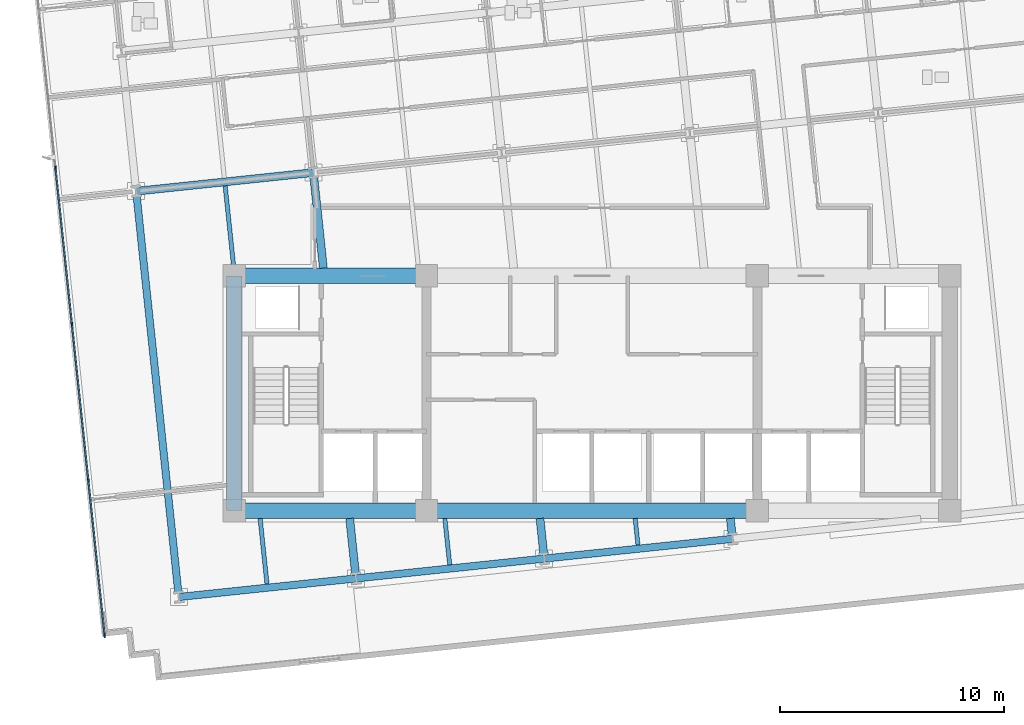
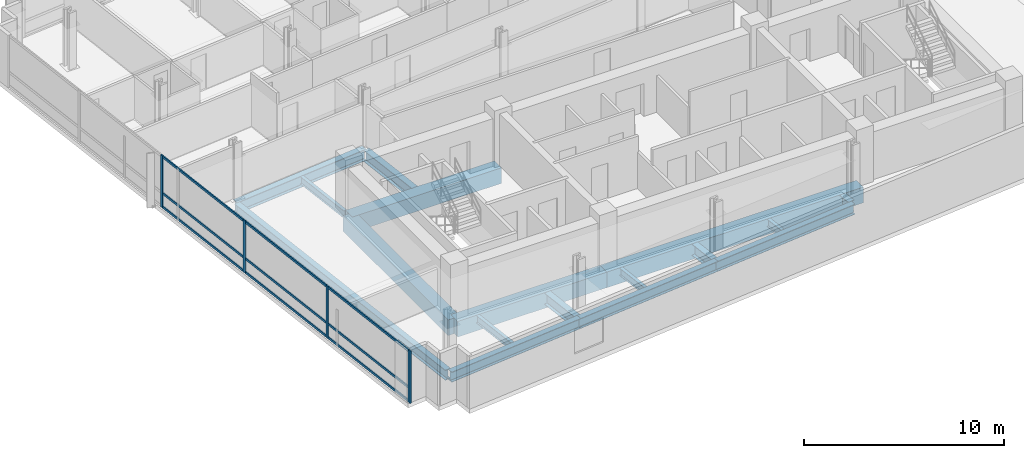
# One storey, part 2 of 18: 17 beams, 13 members, 1 element without a shape of its own.
"""IFC4 building model written with IfcOpenShell, lengths in metres."""

from ifc_helpers import new_model, si_unit, direction, frame, origin, origin_2d, place, context, subcontext, project, spatial, rectangle, i_section, extrude, material, material_profile, profile_set, type_object, element, aggregate, save


model = new_model("IFC4")

# Units and contexts
model_context = context("Model", 3, precision=1e-05, world=origin(), true_north=direction((0.0, 1.0)))
body_context = subcontext(model_context, "Body", "Model", "MODEL_VIEW")
ifc_project = project(units=[si_unit("LENGTHUNIT", "METRE"), si_unit("AREAUNIT", "SQUARE_METRE"), si_unit("VOLUMEUNIT", "CUBIC_METRE"), si_unit("PLANEANGLEUNIT", "RADIAN"), si_unit("MASSUNIT", "GRAM", prefix="KILO")], contexts=[model_context])

# Site, building, storey
site_placement = place(None, origin())
site = spatial("IfcSite", under=ifc_project, at=site_placement, CompositionType="ELEMENT")
building_placement = place(site_placement, origin())
building = spatial("IfcBuilding", under=site, at=building_placement, Name="Solmavex Isthmus Hotel", CompositionType="ELEMENT")
storey_placement = place(building_placement, frame((0.0, 0.0, 120.14990234375)))
storey = spatial("IfcBuildingStorey", under=building, at=storey_placement, Name="L32", CompositionType="ELEMENT", Elevation=120.14990234375)

# Beams
ifc_material_1 = material(Name="Steel ASTM A992 Grade 50", Category="steel")
ifc_material_profile_1 = material_profile(ifc_material_1, i_section(OverallWidth=0.354736328125, OverallDepth=0.695556640625, WebThickness=0.015380859375, FlangeThickness=0.02490234375, FilletRadius=0.017822265625, at=origin_2d()), Name="W27X146")
ifc_profile_set_1 = profile_set([ifc_material_profile_1], Name="Steel ASTM A992 Grade 50")
beam_type_1 = type_object("IfcBeamType", Name="BM-BG-W27X146", PredefinedType="BEAM", material=ifc_profile_set_1)
beam_1_placement = place(storey_placement, frame((-20.383056640625, 1.28564453125, -0.607666015625), z_axis=(0.994520217478, 0.10454442609, 0.0), x_axis=(-0.10454442609, 0.994520217478, 0.0)))
element("IfcBeam", 1, at=beam_1_placement, inside=storey, type_object=beam_type_1, Name="Floor Girder L32-UG07", PredefinedType="BEAM", context=body_context, shape_type="SweptSolid", body=[
    extrude(i_section(OverallWidth=0.354736328125, OverallDepth=0.695556640625, WebThickness=0.015380859375, FlangeThickness=0.02490234375, FilletRadius=0.017822265625, at=origin_2d()), origin(), (0.0, 0.0, 1.0), 7.968017578125),
])
beam_2_placement = place(storey_placement, frame((-10.568115234375, -15.868896484375, -0.607666015625), z_axis=(-0.104589444628, 0.994515484079, 0.0), x_axis=(-0.994515484079, -0.104589444628, 0.0)))
element("IfcBeam", 2, at=beam_2_placement, inside=storey, type_object=beam_type_1, Name="Floor Beam L32-VG28", PredefinedType="BEAM", context=body_context, shape_type="SweptSolid", body=[
    extrude(i_section(OverallWidth=0.354736328125, OverallDepth=0.695556640625, WebThickness=0.015380859375, FlangeThickness=0.02490234375, FilletRadius=0.017822265625, at=origin_2d()), origin(), (0.0, 0.0, 1.0), 2.53271484375),
])
beam_3_placement = place(storey_placement, frame((-12.010009765625, -2.14990234375, -0.607666015625), z_axis=(-0.104548881212, 0.994519749144, 0.0), x_axis=(-0.994519749144, -0.104548881212, 0.0)))
element("IfcBeam", 3, at=beam_3_placement, inside=storey, type_object=beam_type_1, Name="Floor Beam L32-VG29", PredefinedType="BEAM", context=body_context, shape_type="SweptSolid", body=[
    extrude(i_section(OverallWidth=0.354736328125, OverallDepth=0.695556640625, WebThickness=0.015380859375, FlangeThickness=0.02490234375, FilletRadius=0.017822265625, at=origin_2d()), origin(), (0.0, 0.0, 1.0), 4.114501953125),
])
beam_4_placement = place(storey_placement, frame((-2.148681640625, -14.984130859375, -0.607666015625), z_axis=(-0.104460468373, 0.99452903957, 0.0), x_axis=(-0.99452903957, -0.104460468373, 0.0)))
element("IfcBeam", 4, at=beam_4_placement, inside=storey, type_object=beam_type_1, Name="Floor Beam L32-VG32", PredefinedType="BEAM", context=body_context, shape_type="SweptSolid", body=[
    extrude(i_section(OverallWidth=0.354736328125, OverallDepth=0.695556640625, WebThickness=0.015380859375, FlangeThickness=0.02490234375, FilletRadius=0.017822265625, at=origin_2d()), origin(), (0.0, 0.0, 1.0), 1.64306640625),
])
beam_5_placement = place(storey_placement, frame((6.27099609375, -14.09912109375, -0.607666015625), z_axis=(-0.104381041728, 0.99453737895, 0.0), x_axis=(-0.99453737895, -0.104381041728, 0.0)))
element("IfcBeam", 5, at=beam_5_placement, inside=storey, type_object=beam_type_1, Name="Floor Beam L32-VG36", PredefinedType="BEAM", context=body_context, shape_type="SweptSolid", body=[
    extrude(i_section(OverallWidth=0.354736328125, OverallDepth=0.695556640625, WebThickness=0.015380859375, FlangeThickness=0.02490234375, FilletRadius=0.017822265625, at=origin_2d()), origin(), (0.0, 0.0, 1.0), 0.753173828125),
])
ifc_material_profile_2 = material_profile(ifc_material_1, i_section(OverallWidth=0.1904296875, OverallDepth=0.456787109375, WebThickness=0.009033203125, FlangeThickness=0.014404296875, FilletRadius=0.0126953125, at=origin_2d()), Name="W18X50")
ifc_profile_set_2 = profile_set([ifc_material_profile_2], Name="Steel ASTM A992 Grade 50")
beam_type_2 = type_object("IfcBeamType", Name="BM-BJ-W18X50", PredefinedType="JOIST", material=ifc_profile_set_2)
beam_6_placement = place(storey_placement, frame((-14.5302734375, -16.285400390625, -0.48828125), z_axis=(-0.104555607512, 0.994519042019, 0.0), x_axis=(-0.994519042019, -0.104555607512, 0.0)))
element("IfcBeam", 6, at=beam_6_placement, inside=storey, type_object=beam_type_2, Name="Secondary Floor Joist L32-J01", PredefinedType="JOIST", context=body_context, shape_type="SweptSolid", body=[
    extrude(i_section(OverallWidth=0.1904296875, OverallDepth=0.456787109375, WebThickness=0.009033203125, FlangeThickness=0.014404296875, FilletRadius=0.0126953125, at=origin_2d()), origin(), (0.0, 0.0, 1.0), 2.951416015625),
])
beam_7_placement = place(storey_placement, frame((-16.01611328125, -2.14990234375, -0.48828125), z_axis=(-0.104505969986, 0.99452425925, 0.0), x_axis=(-0.99452425925, -0.104505969986, 0.0)))
element("IfcBeam", 7, at=beam_7_placement, inside=storey, type_object=beam_type_2, Name="Secondary Floor Joist L32-J02", PredefinedType="JOIST", context=body_context, shape_type="SweptSolid", body=[
    extrude(i_section(OverallWidth=0.1904296875, OverallDepth=0.456787109375, WebThickness=0.009033203125, FlangeThickness=0.014404296875, FilletRadius=0.0126953125, at=origin_2d()), origin(), (0.0, 0.0, 1.0), 3.69580078125),
])
beam_8_placement = place(storey_placement, frame((-6.3583984375, -15.426513671875, -0.48828125), z_axis=(-0.104538696399, 0.99452081977, 0.0), x_axis=(-0.99452081977, -0.104538696399, 0.0)))
element("IfcBeam", 8, at=beam_8_placement, inside=storey, type_object=beam_type_2, Name="Secondary Floor Joist L32-J05", PredefinedType="JOIST", context=body_context, shape_type="SweptSolid", body=[
    extrude(i_section(OverallWidth=0.1904296875, OverallDepth=0.456787109375, WebThickness=0.009033203125, FlangeThickness=0.014404296875, FilletRadius=0.0126953125, at=origin_2d()), origin(), (0.0, 0.0, 1.0), 2.087890625),
])
beam_9_placement = place(storey_placement, frame((2.061279296875, -14.54150390625, -0.48828125), z_axis=(-0.104546872872, 0.994519960269, 0.0), x_axis=(-0.994519960269, -0.104546872872, 0.0)))
element("IfcBeam", 9, at=beam_9_placement, inside=storey, type_object=beam_type_2, Name="Secondary Floor Joist L32-J09", PredefinedType="JOIST", context=body_context, shape_type="SweptSolid", body=[
    extrude(i_section(OverallWidth=0.1904296875, OverallDepth=0.456787109375, WebThickness=0.009033203125, FlangeThickness=0.014404296875, FilletRadius=0.0126953125, at=origin_2d()), origin(), (0.0, 0.0, 1.0), 1.197998046875),
])
ifc_material_2 = material(Name="Concrete C60/75", Category="concrete")
ifc_material_profile_3 = material_profile(ifc_material_2, rectangle(XDim=0.699951171875, YDim=0.949951171875, at=origin_2d()), Name="RC700X950")
ifc_profile_set_3 = profile_set([ifc_material_profile_3], Name="Concrete C60/75")
beam_type_3 = type_object("IfcBeamType", Name="BM-CB-700X950", PredefinedType="BEAM", material=ifc_profile_set_3)
beam_10_placement = place(storey_placement, frame((-16.0, -13.0, -0.73486328125), z_axis=(1.0, 0.0, 0.0), x_axis=(0.0, 1.0, 0.0)))
element("IfcBeam", 10, at=beam_10_placement, inside=storey, type_object=beam_type_3, Name="Core Coupling Beam L32-CB1", PredefinedType="BEAM", context=body_context, shape_type="SweptSolid", body=[
    extrude(rectangle(XDim=0.699951171875, YDim=0.949951171875, at=origin_2d()), origin(), (0.0, 0.0, 1.0), 8.60009765625),
])
beam_11_placement = place(storey_placement, frame((-7.39990234375, -13.0, -0.73486328125), z_axis=(1.0, 0.0, 0.0), x_axis=(0.0, 1.0, 0.0)))
element("IfcBeam", 11, at=beam_11_placement, inside=storey, type_object=beam_type_3, Name="Core Coupling Beam L32-CB2", PredefinedType="BEAM", context=body_context, shape_type="SweptSolid", body=[
    extrude(rectangle(XDim=0.699951171875, YDim=0.949951171875, at=origin_2d()), origin(), (0.0, 0.0, 1.0), 14.7998046875),
])
beam_12_placement = place(storey_placement, frame((-16.0, -2.5, -0.73486328125), z_axis=(1.0, 0.0, 0.0), x_axis=(0.0, 1.0, 0.0)))
element("IfcBeam", 12, at=beam_12_placement, inside=storey, type_object=beam_type_3, Name="Core Coupling Beam L32-CB4", PredefinedType="BEAM", context=body_context, shape_type="SweptSolid", body=[
    extrude(rectangle(XDim=0.699951171875, YDim=0.949951171875, at=origin_2d()), origin(), (0.0, 0.0, 1.0), 8.60009765625),
])
beam_13_placement = place(storey_placement, frame((-16.0, -13.0, -0.73486328125), z_axis=(0.0, 1.0, 0.0), x_axis=(-1.0, 0.0, 0.0)))
element("IfcBeam", 13, at=beam_13_placement, inside=storey, type_object=beam_type_3, Name="Core Coupling Beam L32-CB7", PredefinedType="BEAM", context=body_context, shape_type="SweptSolid", body=[
    extrude(rectangle(XDim=0.699951171875, YDim=0.949951171875, at=origin_2d()), origin(), (0.0, 0.0, 1.0), 10.5),
])
ifc_material_profile_4 = material_profile(ifc_material_1, i_section(OverallWidth=0.326416015625, OverallDepth=0.621826171875, WebThickness=0.015380859375, FlangeThickness=0.0244140625, FilletRadius=0.01513671875, at=origin_2d()), Name="W24X131")
ifc_profile_set_4 = profile_set([ifc_material_profile_4], Name="Steel ASTM A992 Grade 50")
beam_type_4 = type_object("IfcBeamType", Name="BM-SP-W24X131", PredefinedType="SPANDREL", material=ifc_profile_set_4)
beam_14_placement = place(storey_placement, frame((-18.475341796875, -16.8642578125, -0.57080078125), z_axis=(0.994523402738, 0.104514120609, 0.0), x_axis=(-0.104514120609, 0.994523402738, 0.0)))
element("IfcBeam", 14, at=beam_14_placement, inside=storey, type_object=beam_type_4, Name="Floor Girder L32-UG01", PredefinedType="SPANDREL", context=body_context, shape_type="SweptSolid", body=[
    extrude(i_section(OverallWidth=0.326416015625, OverallDepth=0.621826171875, WebThickness=0.015380859375, FlangeThickness=0.0244140625, FilletRadius=0.01513671875, at=origin_2d()), origin(), (0.0, 0.0, 1.0), 7.968017578125),
])
beam_15_placement = place(storey_placement, frame((-10.551025390625, -16.031494140625, -0.57080078125), z_axis=(0.994520770064, 0.104539169271, 0.0), x_axis=(-0.104539169271, 0.994520770064, 0.0)))
element("IfcBeam", 15, at=beam_15_placement, inside=storey, type_object=beam_type_4, Name="Floor Girder L32-UG02", PredefinedType="SPANDREL", context=body_context, shape_type="SweptSolid", body=[
    extrude(i_section(OverallWidth=0.326416015625, OverallDepth=0.621826171875, WebThickness=0.015380859375, FlangeThickness=0.0244140625, FilletRadius=0.01513671875, at=origin_2d()), origin(), (0.0, 0.0, 1.0), 8.4658203125),
])
beam_16_placement = place(storey_placement, frame((-2.131591796875, -15.146484375, -0.57080078125), z_axis=(0.994521085209, 0.104536171134, 0.0), x_axis=(-0.104536171134, 0.994521085209, 0.0)))
element("IfcBeam", 16, at=beam_16_placement, inside=storey, type_object=beam_type_4, Name="Floor Girder L32-UG03", PredefinedType="SPANDREL", context=body_context, shape_type="SweptSolid", body=[
    extrude(i_section(OverallWidth=0.326416015625, OverallDepth=0.621826171875, WebThickness=0.015380859375, FlangeThickness=0.0244140625, FilletRadius=0.01513671875, at=origin_2d()), origin(), (0.0, 0.0, 1.0), 8.466064453125),
])
beam_17_placement = place(storey_placement, frame((-18.492431640625, -16.701904296875, -0.57080078125), z_axis=(-0.104530088192, 0.99452172458, 0.0), x_axis=(-0.99452172458, -0.104530088192, 0.0)))
element("IfcBeam", 17, at=beam_17_placement, inside=storey, type_object=beam_type_4, Name="Floor Beam L32-VG25", PredefinedType="SPANDREL", context=body_context, shape_type="SweptSolid", body=[
    extrude(i_section(OverallWidth=0.326416015625, OverallDepth=0.621826171875, WebThickness=0.015380859375, FlangeThickness=0.0244140625, FilletRadius=0.01513671875, at=origin_2d()), origin(), (0.0, 0.0, 1.0), 17.909423828125),
])

# Curtain wall, members
ifc_material_3 = material(Name="Aluminium alloy 6063-T6", Category="aluminium")
curtain_wall_type = type_object("IfcCurtainWallType", Name="CW-SYS-03", PredefinedType="NOTDEFINED", material=ifc_material_3)
curtain_wall_placement = place(storey_placement, origin())
curtain_wall = element("IfcCurtainWall", 18, at=curtain_wall_placement, inside=storey, type_object=curtain_wall_type, Name="Stick Curtain Wall CWL-L32-W1", PredefinedType="NOTDEFINED")
ifc_material_profile_5 = material_profile(ifc_material_3, rectangle(XDim=0.070068359375, YDim=0.179931640625, at=origin_2d()), Name="CWM-70X180")
ifc_profile_set_5 = profile_set([ifc_material_profile_5], Name="Aluminium alloy 6063-T6")
member_type_1 = type_object("IfcMemberType", Name="CW-SYS-03-MUL", PredefinedType="MULLION", material=ifc_profile_set_5)
member_1_placement = place(storey_placement, frame((-21.793701171875, -18.585693359375, 0.0), z_axis=(0.0, 0.0, 1.0), x_axis=(-0.994521893044, -0.104528485381, 0.0)))
member_1 = element("IfcMember", 19, at=member_1_placement, type_object=member_type_1, Name="CW-03 mullion 1", PredefinedType="MULLION", context=body_context, shape_type="SweptSolid", body=[
    extrude(rectangle(XDim=0.070068359375, YDim=0.179931640625, at=origin_2d()), origin(), (0.0, 0.0, 1.0), 3.190185546875),
])
member_2_placement = place(storey_placement, frame((-22.52392578125, -11.638916015625, 0.0), z_axis=(0.0, 0.0, 1.0), x_axis=(-0.994521893044, -0.104528485381, 0.0)))
member_2 = element("IfcMember", 20, at=member_2_placement, type_object=member_type_1, Name="CW-03 mullion 2", PredefinedType="MULLION", context=body_context, shape_type="SweptSolid", body=[
    extrude(rectangle(XDim=0.070068359375, YDim=0.179931640625, at=origin_2d()), origin(), (0.0, 0.0, 1.0), 3.190185546875),
])
member_3_placement = place(storey_placement, frame((-23.257568359375, -4.6572265625, 0.0), z_axis=(0.0, 0.0, 1.0), x_axis=(-0.994521893044, -0.104528485381, 0.0)))
member_3 = element("IfcMember", 21, at=member_3_placement, type_object=member_type_1, Name="CW-03 mullion 3", PredefinedType="MULLION", context=body_context, shape_type="SweptSolid", body=[
    extrude(rectangle(XDim=0.070068359375, YDim=0.179931640625, at=origin_2d()), origin(), (0.0, 0.0, 1.0), 3.190185546875),
])
member_4_placement = place(storey_placement, frame((-23.991455078125, 2.32421875, 0.0), z_axis=(0.0, 0.0, 1.0), x_axis=(-0.994521893044, -0.104528485381, 0.0)))
member_4 = element("IfcMember", 22, at=member_4_placement, type_object=member_type_1, Name="CW-03 mullion 4", PredefinedType="MULLION", context=body_context, shape_type="SweptSolid", body=[
    extrude(rectangle(XDim=0.070068359375, YDim=0.179931640625, at=origin_2d()), origin(), (0.0, 0.0, 1.0), 3.190185546875),
])
ifc_material_profile_6 = material_profile(ifc_material_3, rectangle(XDim=0.070068359375, YDim=0.139892578125, at=origin_2d()), Name="CWT-70X140")
ifc_profile_set_6 = profile_set([ifc_material_profile_6], Name="Aluminium alloy 6063-T6")
member_type_2 = type_object("IfcMemberType", Name="CW-SYS-03-TRN", PredefinedType="USERDEFINED", material=ifc_profile_set_6)
member_5_placement = place(storey_placement, frame((-21.79736328125, -18.55078125, 0.070068359375), z_axis=(-0.104539595565, 0.994520725254, 0.0), x_axis=(-0.994520725254, -0.104539595565, 0.0)))
member_5 = element("IfcMember", 23, at=member_5_placement, type_object=member_type_2, Name="CW-03 transom 1.1", ObjectType="TRANSOM", PredefinedType="USERDEFINED", context=body_context, shape_type="SweptSolid", body=[
    extrude(rectangle(XDim=0.070068359375, YDim=0.139892578125, at=origin_2d()), origin(), (0.0, 0.0, 1.0), 6.9150390625),
])
member_6_placement = place(storey_placement, frame((-21.79736328125, -18.55078125, 0.900146484375), z_axis=(-0.104539595565, 0.994520725254, 0.0), x_axis=(-0.994520725254, -0.104539595565, 0.0)))
member_6 = element("IfcMember", 24, at=member_6_placement, type_object=member_type_2, Name="CW-03 transom 1.2", ObjectType="TRANSOM", PredefinedType="USERDEFINED", context=body_context, shape_type="SweptSolid", body=[
    extrude(rectangle(XDim=0.070068359375, YDim=0.139892578125, at=origin_2d()), origin(), (0.0, 0.0, 1.0), 6.9150390625),
])
member_7_placement = place(storey_placement, frame((-21.79736328125, -18.55078125, 3.1201171875), z_axis=(-0.104539595565, 0.994520725254, 0.0), x_axis=(-0.994520725254, -0.104539595565, 0.0)))
member_7 = element("IfcMember", 25, at=member_7_placement, type_object=member_type_2, Name="CW-03 transom 1.3", ObjectType="TRANSOM", PredefinedType="USERDEFINED", context=body_context, shape_type="SweptSolid", body=[
    extrude(rectangle(XDim=0.070068359375, YDim=0.139892578125, at=origin_2d()), origin(), (0.0, 0.0, 1.0), 6.9150390625),
])
member_8_placement = place(storey_placement, frame((-22.527587890625, -11.60400390625, 0.070068359375), z_axis=(-0.104507407784, 0.994524108163, 0.0), x_axis=(-0.994524108163, -0.104507407784, 0.0)))
member_8 = element("IfcMember", 26, at=member_8_placement, type_object=member_type_2, Name="CW-03 transom 2.1", ObjectType="TRANSOM", PredefinedType="USERDEFINED", context=body_context, shape_type="SweptSolid", body=[
    extrude(rectangle(XDim=0.070068359375, YDim=0.139892578125, at=origin_2d()), origin(), (0.0, 0.0, 1.0), 6.949951171875),
])
member_9_placement = place(storey_placement, frame((-22.527587890625, -11.60400390625, 0.900146484375), z_axis=(-0.104507407784, 0.994524108163, 0.0), x_axis=(-0.994524108163, -0.104507407784, 0.0)))
member_9 = element("IfcMember", 27, at=member_9_placement, type_object=member_type_2, Name="CW-03 transom 2.2", ObjectType="TRANSOM", PredefinedType="USERDEFINED", context=body_context, shape_type="SweptSolid", body=[
    extrude(rectangle(XDim=0.070068359375, YDim=0.139892578125, at=origin_2d()), origin(), (0.0, 0.0, 1.0), 6.949951171875),
])
member_10_placement = place(storey_placement, frame((-22.527587890625, -11.60400390625, 3.1201171875), z_axis=(-0.104507407784, 0.994524108163, 0.0), x_axis=(-0.994524108163, -0.104507407784, 0.0)))
member_10 = element("IfcMember", 28, at=member_10_placement, type_object=member_type_2, Name="CW-03 transom 2.3", ObjectType="TRANSOM", PredefinedType="USERDEFINED", context=body_context, shape_type="SweptSolid", body=[
    extrude(rectangle(XDim=0.070068359375, YDim=0.139892578125, at=origin_2d()), origin(), (0.0, 0.0, 1.0), 6.949951171875),
])
member_11_placement = place(storey_placement, frame((-23.26123046875, -4.62255859375, 0.070068359375), z_axis=(-0.104538500317, 0.994520840381, 0.0), x_axis=(-0.994520840381, -0.104538500317, 0.0)))
member_11 = element("IfcMember", 29, at=member_11_placement, type_object=member_type_2, Name="CW-03 transom 3.1", ObjectType="TRANSOM", PredefinedType="USERDEFINED", context=body_context, shape_type="SweptSolid", body=[
    extrude(rectangle(XDim=0.070068359375, YDim=0.139892578125, at=origin_2d()), origin(), (0.0, 0.0, 1.0), 6.9501953125),
])
member_12_placement = place(storey_placement, frame((-23.26123046875, -4.62255859375, 0.900146484375), z_axis=(-0.104538500317, 0.994520840381, 0.0), x_axis=(-0.994520840381, -0.104538500317, 0.0)))
member_12 = element("IfcMember", 30, at=member_12_placement, type_object=member_type_2, Name="CW-03 transom 3.2", ObjectType="TRANSOM", PredefinedType="USERDEFINED", context=body_context, shape_type="SweptSolid", body=[
    extrude(rectangle(XDim=0.070068359375, YDim=0.139892578125, at=origin_2d()), origin(), (0.0, 0.0, 1.0), 6.9501953125),
])
member_13_placement = place(storey_placement, frame((-23.26123046875, -4.62255859375, 3.1201171875), z_axis=(-0.104538500317, 0.994520840381, 0.0), x_axis=(-0.994520840381, -0.104538500317, 0.0)))
member_13 = element("IfcMember", 31, at=member_13_placement, type_object=member_type_2, Name="CW-03 transom 3.3", ObjectType="TRANSOM", PredefinedType="USERDEFINED", context=body_context, shape_type="SweptSolid", body=[
    extrude(rectangle(XDim=0.070068359375, YDim=0.139892578125, at=origin_2d()), origin(), (0.0, 0.0, 1.0), 6.9501953125),
])
aggregate(curtain_wall, [member_1, member_2, member_3, member_4, member_5, member_6, member_7, member_8, member_9, member_10, member_11, member_12, member_13])

save(model, "model.ifc")
